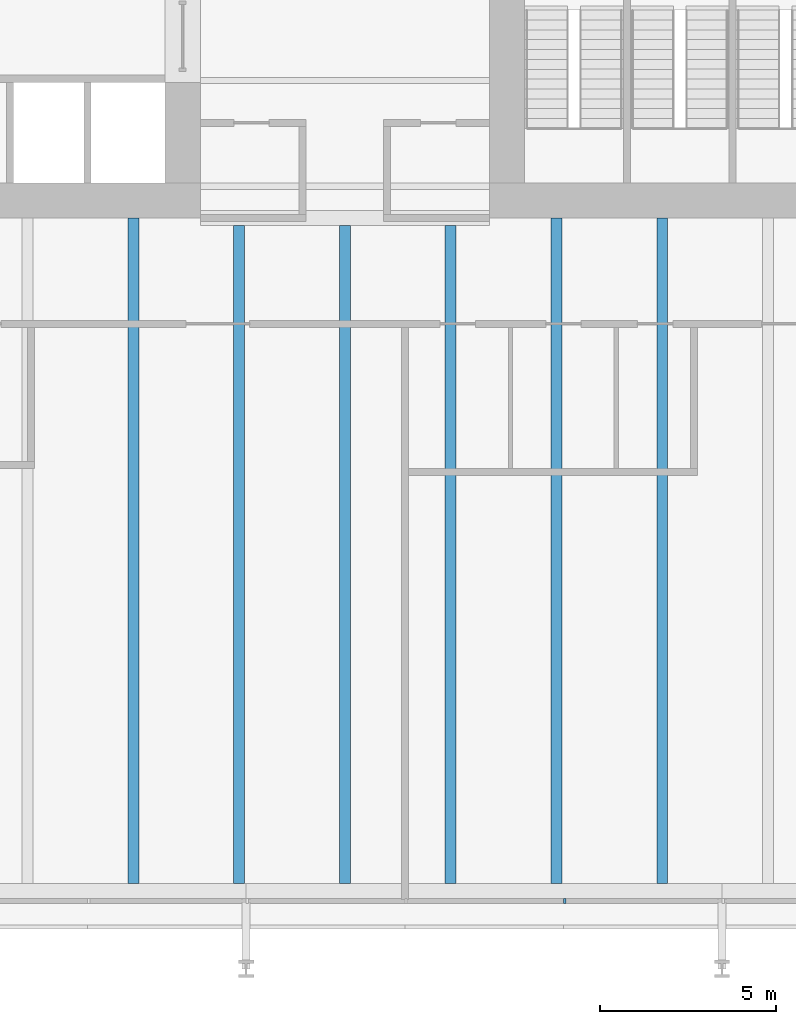
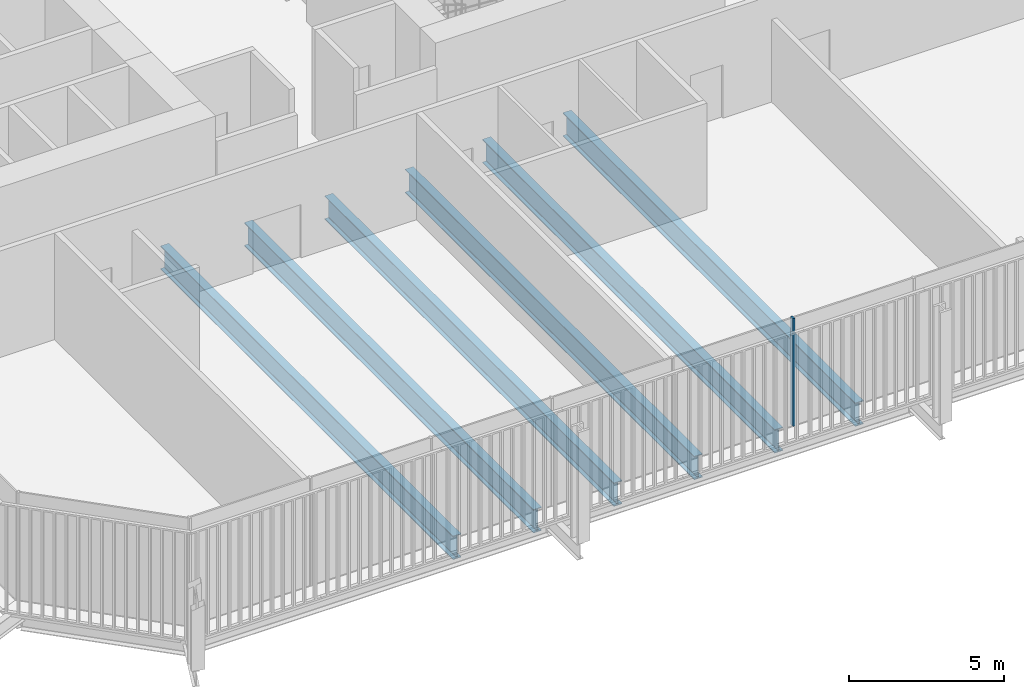
# One storey, part 4 of 20: 6 beams, 1 member, 1 element without a shape of its own.
"""IFC4 building model written with IfcOpenShell, lengths in metres."""

from ifc_helpers import new_model, si_unit, direction, frame, origin, origin_2d, place, context, subcontext, project, spatial, rectangle, i_section, extrude, material, layer, layer_set, material_profile, profile_set, type_object, element, aggregate, save


model = new_model("IFC4")

# Units and contexts
model_context = context("Model", 3, precision=1e-05, world=origin(), true_north=direction((0.0, 1.0)))
body_context = subcontext(model_context, "Body", "Model", "MODEL_VIEW")
ifc_project = project(units=[si_unit("LENGTHUNIT", "METRE"), si_unit("AREAUNIT", "SQUARE_METRE"), si_unit("VOLUMEUNIT", "CUBIC_METRE"), si_unit("PLANEANGLEUNIT", "RADIAN"), si_unit("MASSUNIT", "GRAM", prefix="KILO")], contexts=[model_context])

# Site, building, storey
site_placement = place(None, origin())
site = spatial("IfcSite", under=ifc_project, at=site_placement, CompositionType="ELEMENT")
building_placement = place(site_placement, origin())
building = spatial("IfcBuilding", under=site, at=building_placement, Name="Millrace Tower", CompositionType="ELEMENT")
storey_placement = place(building_placement, frame((0.0, 0.0, 77.60009765625)))
storey = spatial("IfcBuildingStorey", under=building, at=storey_placement, Name="L17", CompositionType="ELEMENT", Elevation=77.60009765625)

# Curtain wall, member
ifc_material_1 = material(Name="Aluminium and glass", Category="aluminium")
ifc_layer = layer(ifc_material_1, 0.14990234375)
ifc_layer_set = layer_set([ifc_layer], Name="Aluminium and glass")
curtain_wall_type = type_object("IfcCurtainWallType", Name="CW-3 telecom floor curtain wall", PredefinedType="NOTDEFINED", material=ifc_layer_set)
curtain_wall_placement = place(storey_placement, origin())
curtain_wall = element("IfcCurtainWall", 1, at=curtain_wall_placement, inside=storey, type_object=curtain_wall_type, Name="Curtain wall B-F02 L17", PredefinedType="NOTDEFINED")
ifc_material_2 = material(Name="Aluminium", Category="aluminium")
ifc_material_profile_1 = material_profile(ifc_material_2, rectangle(XDim=0.06494140625, YDim=0.14990234375, at=origin_2d()))
ifc_profile_set_1 = profile_set([ifc_material_profile_1], Name="Aluminium")
member_type = type_object("IfcMemberType", Name="CW-3 telecom floor curtain wall mullion", PredefinedType="MULLION", material=ifc_profile_set_1)
member_placement = place(storey_placement, frame((6.232421875, -29.27490234375, 0.14990234375), z_axis=(0.0, 0.0, 1.0), x_axis=(1.0, 0.0, 0.0)))
member = element("IfcMember", 2, at=member_placement, type_object=member_type, Name="CW3 mullion B-F02.6", PredefinedType="MULLION", context=body_context, shape_type="SweptSolid", body=[
    extrude(rectangle(XDim=0.06494140625, YDim=0.14990234375, at=origin_2d()), origin(), (0.0, 0.0, 1.0), 4.25),
])
aggregate(curtain_wall, [member])

# Beams
ifc_material_3 = material(Name="Steel ASTM A992 Grade 50", Category="steel")
ifc_material_profile_2 = material_profile(ifc_material_3, i_section(OverallWidth=0.307373046875, OverallDepth=0.927001953125, WebThickness=0.01953125, FlangeThickness=0.031982421875, FilletRadius=0.01904296875, at=origin_2d()))
ifc_profile_set_2 = profile_set([ifc_material_profile_2], Name="Steel ASTM A992 Grade 50")
beam_type = type_object("IfcBeamType", Name="Floor beam W36x194", PredefinedType="JOIST", material=ifc_profile_set_2)
beam_placement = place(storey_placement, frame((-6.0, -28.781005859375, -0.66357421875), z_axis=(0.0, 1.0, 0.0), x_axis=(-1.0, 0.0, 0.0)))
element("IfcBeam", 3, at=beam_placement, inside=storey, type_object=beam_type, Name="BM-B-L17-S1-S045", PredefinedType="JOIST", context=body_context, shape_type="SweptSolid", body=[
    extrude(i_section(OverallWidth=0.307373046875, OverallDepth=0.927001953125, WebThickness=0.01953125, FlangeThickness=0.031982421875, FilletRadius=0.01904296875, at=origin_2d()), origin(), (0.0, 0.0, 1.0), 18.881103515625),
])
for number, where, z_axis, x_axis, name in (
    (4, (-3.0, -28.781005859375, -0.66357421875), (0.0, 1.0, 0.0), (-1.0, 0.0, 0.0), "BM-B-L17-S1-S047"),
    (5, (0.0, -28.781005859375, -0.66357421875), (0.0, 1.0, 0.0), (-1.0, 0.0, 0.0), "BM-B-L17-S1-S049"),
    (6, (3.0, -28.781005859375, -0.66357421875), (0.0, 1.0, 0.0), (-1.0, 0.0, 0.0), "BM-B-L17-S1-S051"),
):
    element("IfcBeam", number, at=place(storey_placement, frame(where, z_axis=z_axis, x_axis=x_axis)), inside=storey, type_object=beam_type, Name=name, PredefinedType="JOIST", context=body_context, shape_type="SweptSolid", body=[
        extrude(i_section(OverallWidth=0.307373046875, OverallDepth=0.927001953125, WebThickness=0.01953125, FlangeThickness=0.031982421875, FilletRadius=0.01904296875, at=origin_2d()), origin(), (0.0, 0.0, 1.0), 18.670166015625),
    ])
for number, where, z_axis, x_axis, name in (
    (7, (6.0, -28.781005859375, -0.66357421875), (0.0, 1.0, 0.0), (-1.0, 0.0, 0.0), "BM-B-L17-S1-S053"),
    (8, (9.0, -28.781005859375, -0.66357421875), (0.0, 1.0, 0.0), (-1.0, 0.0, 0.0), "BM-B-L17-S1-S055"),
):
    element("IfcBeam", number, at=place(storey_placement, frame(where, z_axis=z_axis, x_axis=x_axis)), inside=storey, type_object=beam_type, Name=name, PredefinedType="JOIST", context=body_context, shape_type="SweptSolid", body=[
        extrude(i_section(OverallWidth=0.307373046875, OverallDepth=0.927001953125, WebThickness=0.01953125, FlangeThickness=0.031982421875, FilletRadius=0.01904296875, at=origin_2d()), origin(), (0.0, 0.0, 1.0), 18.881103515625),
    ])

save(model, "model.ifc")
